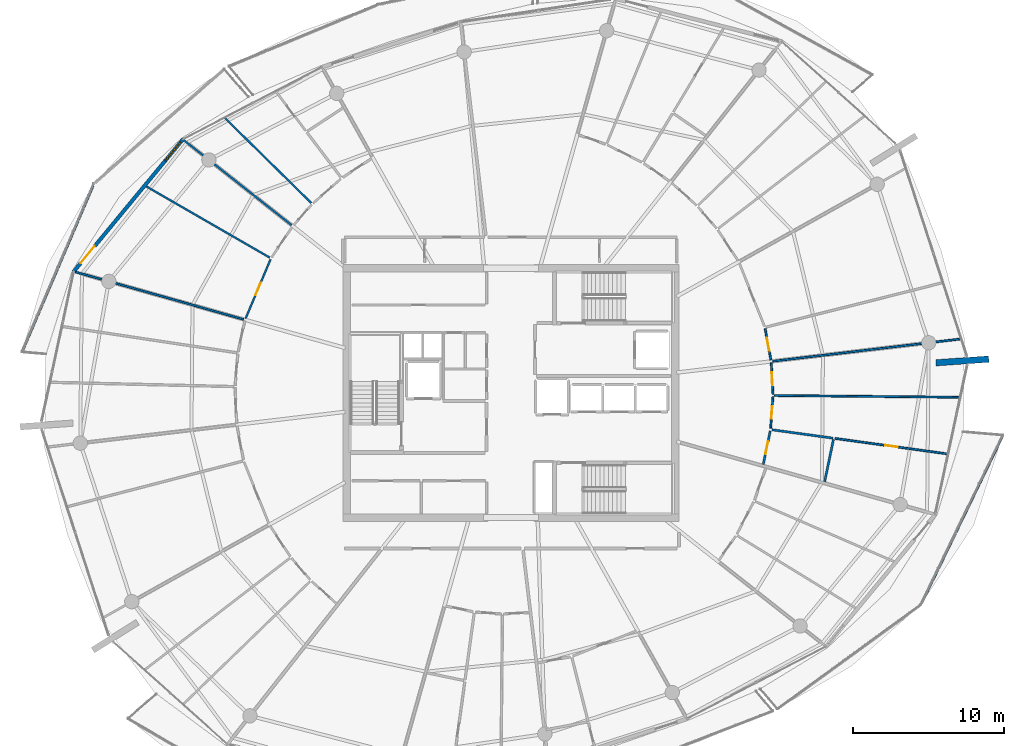
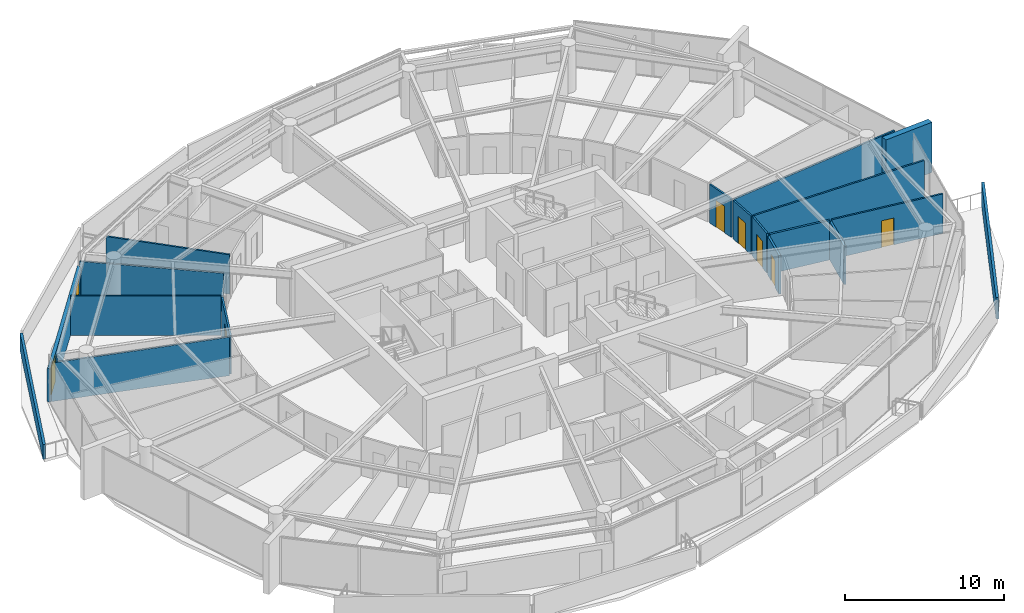
# One storey, part 21 of 31: 18 walls, 7 doors, 1 window, 8 openings.
"""IFC4 building model written with IfcOpenShell, lengths in metres."""

from ifc_helpers import new_model, si_unit, direction, frame, frame_2d, origin, place, context, subcontext, project, spatial, polyline, rectangle, outline, extrude, material, layer, layer_set, type_object, element, fill, save


model = new_model("IFC4")

# Units and contexts
model_context = context("Model", 3, precision=1e-05, world=origin(), true_north=direction((0.0, 1.0)))
body_context = subcontext(model_context, "Body", "Model", "MODEL_VIEW")
ifc_project = project(units=[si_unit("LENGTHUNIT", "METRE"), si_unit("AREAUNIT", "SQUARE_METRE"), si_unit("VOLUMEUNIT", "CUBIC_METRE"), si_unit("PLANEANGLEUNIT", "RADIAN"), si_unit("MASSUNIT", "GRAM", prefix="KILO")], contexts=[model_context])

# Site, building, storey
site_placement = place(None, origin())
site = spatial("IfcSite", under=ifc_project, at=site_placement, CompositionType="ELEMENT")
building_placement = place(site_placement, origin())
building = spatial("IfcBuilding", under=site, at=building_placement, Name="Kazma Halo Residences", CompositionType="ELEMENT")
storey_placement = place(building_placement, frame((0.0, 0.0, 275.199951171875)))
storey = spatial("IfcBuildingStorey", under=building, at=storey_placement, Name="L69", CompositionType="ELEMENT", Elevation=275.199951171875)

# Walls
ifc_material_1 = material(Name="White Concrete C50/60 Balustrade", Category="concrete")
ifc_layer_1 = layer(ifc_material_1, 0.179931640625)
ifc_layer_set_1 = layer_set([ifc_layer_1], Name="White Concrete C50/60 Balustrade")
wall_type_1 = type_object("IfcWallType", Name="WL-BAL-WAVE-180", PredefinedType="PARAPET", material=ifc_layer_set_1)
wall_1_placement = place(storey_placement, frame((20.765380859375, 55.7421875, 0.0), z_axis=(0.0, 0.0, 1.0), x_axis=(-0.392715313702, -0.919660090677, 0.0)))
element("IfcWall", 1, at=wall_1_placement, inside=storey, type_object=wall_type_1, Name="L69 white wave balustrade wall NW.2", PredefinedType="PARAPET", context=body_context, shape_type="SweptSolid", body=[
    extrude(outline(polyline([(0.0, 0.0), (11.9951171875, 0.0), (11.995361328125, 1.1201171875), (5.997802734375, 1.18212890625), (0.0, 1.34814453125), (0.0, 0.0)])), frame((0.0, 0.08984375, 0.0), z_axis=(0.0, -1.0, 0.0), x_axis=(1.0, 0.0, 0.0)), (0.0, 0.0, 1.0), 0.179931640625),
])
wall_2_placement = place(storey_placement, frame((75.594482421875, 28.07470703125, 0.0), z_axis=(0.0, 0.0, 1.0), x_axis=(0.435762237374, 0.900061815921, 0.0)))
element("IfcWall", 2, at=wall_2_placement, inside=storey, type_object=wall_type_1, Name="L69 white wave balustrade wall SE.2", PredefinedType="PARAPET", context=body_context, shape_type="SweptSolid", body=[
    extrude(outline(polyline([(0.0, 0.0), (12.362060546875, 0.0), (12.3623046875, 1.860107421875), (6.18115234375, 1.798095703125), (0.0, 1.632080078125), (0.0, 0.0)])), frame((0.0, 0.08984375, 0.0), z_axis=(0.0, -1.0, 0.0), x_axis=(1.0, 0.0, 0.0)), (0.0, 0.0, 1.0), 0.179931640625),
])
ifc_material_2 = material(Name="Pale Concrete C60/75", Category="concrete")
ifc_layer_2 = layer(ifc_material_2, 0.419921875)
ifc_layer_set_2 = layer_set([ifc_layer_2], Name="Pale Concrete C60/75")
wall_type_2 = type_object("IfcWallType", Name="WL-BLADE-420", PredefinedType="SOLIDWALL", material=ifc_layer_set_2)
wall_3_placement = place(storey_placement, frame((76.5625, 43.997314453125, 0.0), z_axis=(0.0, 0.0, 1.0), x_axis=(0.997563824095, 0.069759707979, 0.0)))
element("IfcWall", 3, at=wall_3_placement, inside=storey, type_object=wall_type_2, Name="L69 pale concrete structural blade fin wall BW-04", PredefinedType="SOLIDWALL", context=body_context, shape_type="SweptSolid", body=[
    extrude(rectangle(XDim=3.499755859375, YDim=0.419921875, at=frame_2d((1.75, 0.0))), origin(), (0.0, 0.0, 1.0), 3.85009765625),
])

# Wall, openings, door, window
ifc_material_3 = material(Name="Insulated Pale-Metal Composite Wall")
ifc_layer_3 = layer(ifc_material_3, 0.239990234375)
ifc_layer_set_3 = layer_set([ifc_layer_3], Name="Insulated Pale-Metal Composite Wall")
wall_type_3 = type_object("IfcWallType", Name="WL-EXT-HOST-240", PredefinedType="SOLIDWALL", material=ifc_layer_set_3)
wall_4_placement = place(storey_placement, frame((26.7421875, 58.822021484375, 0.0), z_axis=(0.0, 0.0, 1.0), x_axis=(-0.636680093065, -0.771128043255, 0.0)))
wall_4 = element("IfcWall", 4, at=wall_4_placement, inside=storey, type_object=wall_type_3, Name="L69 exterior terrace-access wall B06", PredefinedType="SOLIDWALL", context=body_context, shape_type="SweptSolid", body=[
    extrude(rectangle(XDim=11.438232421875, YDim=0.239990234375, at=frame_2d((5.71923828125, 0.0))), origin(), (0.0, 0.0, 1.0), 2.5400390625),
])
opening_1_placement = place(wall_4_placement, frame((9.21826171875, 0.0, 0.0)))
opening_1 = element("IfcOpeningElement", 5, at=opening_1_placement, cuts=wall_4, Name="Opening DTR-1600", PredefinedType="OPENING", context=body_context, shape_type="SweptSolid", body=[
    extrude(rectangle(XDim=1.449951171875, YDim=2.14990234375, at=frame_2d((0.72509765625, 1.074951171875))), frame((0.0, 0.1298828125, 0.0), z_axis=(0.0, -1.0, 0.0), x_axis=(1.0, 0.0, 0.0)), (0.0, 0.0, 1.0), 0.260009765625),
])
opening_2_placement = place(wall_4_placement, frame((0.280029296875, 0.0, 0.64990234375)))
opening_2 = element("IfcOpeningElement", 6, at=opening_2_placement, cuts=wall_4, Name="Opening W-1800", PredefinedType="OPENING", context=body_context, shape_type="SweptSolid", body=[
    extrude(rectangle(XDim=1.60009765625, YDim=1.5, at=frame_2d((0.800048828125, 0.75))), frame((0.0, 0.1298828125, 0.0), z_axis=(0.0, -1.0, 0.0), x_axis=(1.0, 0.0, 0.0)), (0.0, 0.0, 1.0), 0.260009765625),
])
ifc_material_4 = material(Name="Aluminium AW-6063 T6 Double-Glazed Terrace Door", Category="aluminium")
door_type_1 = type_object("IfcDoorType", Name="DR-EXT-TERR-1600", OperationType="NOTDEFINED", PredefinedType="DOOR", material=ifc_material_4)
door_1_placement = place(opening_1_placement, origin())
door_1 = element("IfcDoor", 7, at=door_1_placement, inside=storey, type_object=door_type_1, Name="L69 B06 balcony terrace door", OperationType="DOUBLE_DOOR_SLIDING", OverallHeight=2.14990234375, OverallWidth=1.449951171875, PredefinedType="DOOR", context=body_context, shape_type="SweptSolid", body=[
    extrude(rectangle(XDim=1.449951171875, YDim=2.14990234375, at=frame_2d((0.72509765625, 1.074951171875))), frame((0.0, 0.02490234375, 0.0), z_axis=(0.0, -1.0, 0.0), x_axis=(1.0, 0.0, 0.0)), (0.0, 0.0, 1.0), 0.050048828125),
])
fill(opening_1, door_1)
ifc_material_5 = material(Name="Clear Triple-Silver Low-E Glass in Aluminium AW-6063 T6 Frame", Category="aluminium")
window_type = type_object("IfcWindowType", Name="WIN-RES-1800", PartitioningType="DOUBLE_PANEL_VERTICAL", PredefinedType="WINDOW", material=ifc_material_5)
window_placement = place(opening_2_placement, origin())
window = element("IfcWindow", 8, at=window_placement, inside=storey, type_object=window_type, Name="L69 B06 apartment window", OverallHeight=1.5, OverallWidth=1.60009765625, PartitioningType="SINGLE_PANEL", PredefinedType="WINDOW", context=body_context, shape_type="SweptSolid", body=[
    extrude(rectangle(XDim=1.60009765625, YDim=1.5, at=frame_2d((0.800048828125, 0.75))), frame((0.0, 0.030029296875, 0.0), z_axis=(0.0, -1.0, 0.0), x_axis=(1.0, 0.0, 0.0)), (0.0, 0.0, 1.0), 0.06005859375),
])
fill(opening_2, window)

# Walls
ifc_material_6 = material(Name="Gypsum Plasterboard Partition")
ifc_layer_4 = layer(ifc_material_6, 0.125)
ifc_layer_set_4 = layer_set([ifc_layer_4], Name="Gypsum Plasterboard Partition")
wall_type_4 = type_object("IfcWallType", Name="WL-PART-125", PredefinedType="PARTITIONING", material=ifc_layer_set_4)
wall_5_placement = place(storey_placement, frame((35.214111328125, 54.572998046875, 0.0), z_axis=(0.0, 0.0, 1.0), x_axis=(-0.712998082221, 0.701165982311, 0.0)))
element("IfcWall", 9, at=wall_5_placement, inside=storey, type_object=wall_type_4, Name="L69 Apartment 1 suite divider 4", PredefinedType="PARTITIONING", context=body_context, shape_type="SweptSolid", body=[
    extrude(rectangle(XDim=8.026611328125, YDim=0.125, at=frame_2d((4.01318359375, 0.0))), origin(), (0.0, 0.0, 1.0), 3.030029296875),
])
wall_6_placement = place(storey_placement, frame((33.909912109375, 53.10791015625, 0.0), z_axis=(0.0, 0.0, 1.0), x_axis=(-0.785332331122, 0.619074413697, 0.0)))
element("IfcWall", 10, at=wall_6_placement, inside=storey, type_object=wall_type_4, Name="L69 Apartment 1 radial partition 5", PredefinedType="PARTITIONING", context=body_context, shape_type="SweptSolid", body=[
    extrude(rectangle(XDim=9.142578125, YDim=0.125, at=frame_2d((4.5712890625, 0.0))), origin(), (0.0, 0.0, 1.0), 2.95703125),
])
wall_7_placement = place(storey_placement, frame((32.4658203125, 50.9580078125, 0.0), z_axis=(0.0, 0.0, 1.0), x_axis=(-0.86629721787, 0.499528908383, 0.0)))
element("IfcWall", 11, at=wall_7_placement, inside=storey, type_object=wall_type_4, Name="L69 Apartment 1 mid-bay wall 5", PredefinedType="PARTITIONING", context=body_context, shape_type="SweptSolid", body=[
    extrude(rectangle(XDim=9.42822265625, YDim=0.125, at=frame_2d((4.714111328125, 0.0))), origin(), (0.0, 0.0, 1.0), 3.030029296875),
])

# Wall, opening, door
wall_8_placement = place(storey_placement, frame((32.5126953125, 50.839111328125, 0.0), z_axis=(0.0, 0.0, 1.0), x_axis=(-0.388494891754, -0.921450877194, 0.0)))
wall_8 = element("IfcWall", 12, at=wall_8_placement, inside=storey, type_object=wall_type_4, Name="L69 Apartment 1 Secondary Formal Dining Room hall wall", PredefinedType="PARTITIONING", context=body_context, shape_type="SweptSolid", body=[
    extrude(rectangle(XDim=4.23681640625, YDim=0.125, at=frame_2d((2.118408203125, 0.0))), origin(), (0.0, 0.0, 1.0), 2.95703125),
])
opening_3_placement = place(wall_8_placement, frame((1.66845703125, 0.0, 0.0)))
opening_3 = element("IfcOpeningElement", 13, at=opening_3_placement, cuts=wall_8, Name="Opening DI-950", PredefinedType="OPENING", context=body_context, shape_type="SweptSolid", body=[
    extrude(rectangle(XDim=0.89990234375, YDim=2.080078125, at=frame_2d((0.449951171875, 1.0400390625))), frame((0.0, 0.072509765625, 0.0), z_axis=(0.0, -1.0, 0.0), x_axis=(1.0, 0.0, 0.0)), (0.0, 0.0, 1.0), 0.14501953125),
])
ifc_material_7 = material(Name="Timber Veneer Flush Leaf", Category="wood")
door_type_2 = type_object("IfcDoorType", Name="DR-INT-950", OperationType="NOTDEFINED", PredefinedType="DOOR", material=ifc_material_7)
door_2_placement = place(opening_3_placement, origin())
door_2 = element("IfcDoor", 14, at=door_2_placement, inside=storey, type_object=door_type_2, Name="L69 Apartment 1 Secondary Formal Dining Room door", OperationType="SINGLE_SWING_RIGHT", OverallHeight=2.080078125, OverallWidth=0.89990234375, PredefinedType="DOOR", context=body_context, shape_type="SweptSolid", body=[
    extrude(rectangle(XDim=0.89990234375, YDim=2.080078125, at=frame_2d((0.449951171875, 1.0400390625))), frame((0.0, 0.02490234375, 0.0), z_axis=(0.0, -1.0, 0.0), x_axis=(1.0, 0.0, 0.0)), (0.0, 0.0, 1.0), 0.050048828125),
])
fill(opening_3, door_2)

# Wall
wall_9_placement = place(storey_placement, frame((30.731689453125, 46.8701171875, 0.0), z_axis=(0.0, 0.0, 1.0), x_axis=(-0.962452931787, 0.271448621462, 0.0)))
element("IfcWall", 15, at=wall_9_placement, inside=storey, type_object=wall_type_4, Name="L69 Apartment 1 radial partition 6", PredefinedType="PARTITIONING", context=body_context, shape_type="SweptSolid", body=[
    extrude(rectangle(XDim=11.5537109375, YDim=0.125, at=frame_2d((5.77685546875, 0.0))), origin(), (0.0, 0.0, 1.0), 2.95703125),
])

# Wall, opening, door
wall_10_placement = place(storey_placement, frame((69.880126953125, 38.9912109375, 0.0), z_axis=(0.0, 0.0, 1.0), x_axis=(0.990676269793, -0.13623703046, 0.0)))
wall_10 = element("IfcWall", 16, at=wall_10_placement, inside=storey, type_object=wall_type_4, Name="L69 Apartment 4 Household Store Room partition wall", PredefinedType="PARTITIONING", context=body_context, shape_type="SweptSolid", body=[
    extrude(rectangle(XDim=7.531982421875, YDim=0.125, at=frame_2d((3.76611328125, 0.0))), origin(), (0.0, 0.0, 1.0), 3.030029296875),
])
opening_4_placement = place(wall_10_placement, frame((3.341064453125, 0.0, 0.0)))
opening_4 = element("IfcOpeningElement", 17, at=opening_4_placement, cuts=wall_10, Name="Opening DB-900", PredefinedType="OPENING", context=body_context, shape_type="SweptSolid", body=[
    extrude(rectangle(XDim=0.85009765625, YDim=2.06005859375, at=frame_2d((0.425048828125, 1.030029296875))), frame((0.0, 0.072509765625, 0.0), z_axis=(0.0, -1.0, 0.0), x_axis=(1.0, 0.0, 0.0)), (0.0, 0.0, 1.0), 0.14501953125),
])
ifc_material_8 = material(Name="Moisture-Sealed Timber Leaf", Category="wood")
door_type_3 = type_object("IfcDoorType", Name="DR-BTH-900", OperationType="NOTDEFINED", PredefinedType="DOOR", material=ifc_material_8)
door_3_placement = place(opening_4_placement, origin())
door_3 = element("IfcDoor", 18, at=door_3_placement, inside=storey, type_object=door_type_3, Name="L69 Apartment 4 Household Store Room door", OperationType="SINGLE_SWING_LEFT", OverallHeight=2.06005859375, OverallWidth=0.85009765625, PredefinedType="DOOR", context=body_context, shape_type="SweptSolid", body=[
    extrude(rectangle(XDim=0.85009765625, YDim=2.06005859375, at=frame_2d((0.425048828125, 1.030029296875))), frame((0.0, 0.02490234375, 0.0), z_axis=(0.0, -1.0, 0.0), x_axis=(1.0, 0.0, 0.0)), (0.0, 0.0, 1.0), 0.050048828125),
])
fill(opening_4, door_3)

# Wall
wall_11_placement = place(storey_placement, frame((65.865234375, 41.831787109375, 0.0), z_axis=(0.0, 0.0, 1.0), x_axis=(0.999955421737, -0.009442168124, 0.0)))
element("IfcWall", 19, at=wall_11_placement, inside=storey, type_object=wall_type_4, Name="L69 Apartment 4 suite divider 14", PredefinedType="PARTITIONING", context=body_context, shape_type="SweptSolid", body=[
    extrude(rectangle(XDim=12.28173828125, YDim=0.125, at=frame_2d((6.140869140625, 0.0))), origin(), (0.0, 0.0, 1.0), 3.030029296875),
])

# Wall, opening, door
wall_12_placement = place(storey_placement, frame((65.616943359375, 39.668212890625, 0.0), z_axis=(0.0, 0.0, 1.0), x_axis=(0.072890621107, 0.99733994072, 0.0)))
wall_12 = element("IfcWall", 20, at=wall_12_placement, inside=storey, type_object=wall_type_4, Name="L69 Apartment 4 Gourmet Kitchen hall wall", PredefinedType="PARTITIONING", context=body_context, shape_type="SweptSolid", body=[
    extrude(rectangle(XDim=2.090087890625, YDim=0.125, at=frame_2d((1.044921875, 0.0))), origin(), (0.0, 0.0, 1.0), 3.030029296875),
])
opening_5_placement = place(wall_12_placement, frame((0.6201171875, 0.0, 0.0)))
opening_5 = element("IfcOpeningElement", 21, at=opening_5_placement, cuts=wall_12, Name="Opening DB-900", PredefinedType="OPENING", context=body_context, shape_type="SweptSolid", body=[
    extrude(rectangle(XDim=0.85009765625, YDim=2.06005859375, at=frame_2d((0.425048828125, 1.030029296875))), frame((0.0, 0.072509765625, 0.0), z_axis=(0.0, -1.0, 0.0), x_axis=(1.0, 0.0, 0.0)), (0.0, 0.0, 1.0), 0.14501953125),
])
door_4_placement = place(opening_5_placement, origin())
door_4 = element("IfcDoor", 22, at=door_4_placement, inside=storey, type_object=door_type_3, Name="L69 Apartment 4 Gourmet Kitchen door", OperationType="SINGLE_SWING_RIGHT", OverallHeight=2.06005859375, OverallWidth=0.85009765625, PredefinedType="DOOR", context=body_context, shape_type="SweptSolid", body=[
    extrude(rectangle(XDim=0.85009765625, YDim=2.06005859375, at=frame_2d((0.425048828125, 1.030029296875))), frame((0.0, 0.02490234375, 0.0), z_axis=(0.0, -1.0, 0.0), x_axis=(1.0, 0.0, 0.0)), (0.0, 0.0, 1.0), 0.050048828125),
])
fill(opening_5, door_4)

wall_13_placement = place(storey_placement, frame((65.77099609375, 41.912353515625, 0.0), z_axis=(0.0, 0.0, 1.0), x_axis=(-0.054221950574, 0.998528907982, 0.0)))
wall_13 = element("IfcWall", 23, at=wall_13_placement, inside=storey, type_object=wall_type_4, Name="L69 Apartment 4 Master Bedroom hall wall", PredefinedType="PARTITIONING", context=body_context, shape_type="SweptSolid", body=[
    extrude(rectangle(XDim=2.080322265625, YDim=0.125, at=frame_2d((1.0400390625, 0.0))), origin(), (0.0, 0.0, 1.0), 2.95703125),
])
opening_6_placement = place(wall_13_placement, frame((0.614990234375, 0.0, 0.0)))
opening_6 = element("IfcOpeningElement", 24, at=opening_6_placement, cuts=wall_13, Name="Opening DB-900", PredefinedType="OPENING", context=body_context, shape_type="SweptSolid", body=[
    extrude(rectangle(XDim=0.85009765625, YDim=2.06005859375, at=frame_2d((0.425048828125, 1.030029296875))), frame((0.0, 0.072509765625, 0.0), z_axis=(0.0, -1.0, 0.0), x_axis=(1.0, 0.0, 0.0)), (0.0, 0.0, 1.0), 0.14501953125),
])
door_5_placement = place(opening_6_placement, origin())
door_5 = element("IfcDoor", 25, at=door_5_placement, inside=storey, type_object=door_type_3, Name="L69 Apartment 4 Master Bedroom door", OperationType="SINGLE_SWING_LEFT", OverallHeight=2.06005859375, OverallWidth=0.85009765625, PredefinedType="DOOR", context=body_context, shape_type="SweptSolid", body=[
    extrude(rectangle(XDim=0.85009765625, YDim=2.06005859375, at=frame_2d((0.425048828125, 1.030029296875))), frame((0.0, 0.02490234375, 0.0), z_axis=(0.0, -1.0, 0.0), x_axis=(1.0, 0.0, 0.0)), (0.0, 0.0, 1.0), 0.050048828125),
])
fill(opening_6, door_5)

# Wall
wall_14_placement = place(storey_placement, frame((65.752197265625, 44.10107421875, 0.0), z_axis=(0.0, 0.0, 1.0), x_axis=(0.993067785749, 0.117543068309, 0.0)))
element("IfcWall", 26, at=wall_14_placement, inside=storey, type_object=wall_type_4, Name="L69 Apartment 4 radial partition 15", PredefinedType="PARTITIONING", context=body_context, shape_type="SweptSolid", body=[
    extrude(rectangle(XDim=12.553466796875, YDim=0.125, at=frame_2d((6.27685546875, 0.0))), origin(), (0.0, 0.0, 1.0), 2.95703125),
])

# Wall, opening, door
wall_15_placement = place(storey_placement, frame((65.634765625, 44.1875, 0.0), z_axis=(0.0, 0.0, 1.0), x_axis=(-0.181239065241, 0.983439068387, 0.0)))
wall_15 = element("IfcWall", 27, at=wall_15_placement, inside=storey, type_object=wall_type_4, Name="L69 Apartment 4 Primary Wine Pantry Store hall wall", PredefinedType="PARTITIONING", context=body_context, shape_type="SweptSolid", body=[
    extrude(rectangle(XDim=2.108154296875, YDim=0.125, at=frame_2d((1.05419921875, 0.0))), origin(), (0.0, 0.0, 1.0), 2.95703125),
])
opening_7_placement = place(wall_15_placement, frame((0.62890625, 0.0, 0.0)))
opening_7 = element("IfcOpeningElement", 28, at=opening_7_placement, cuts=wall_15, Name="Opening DB-900", PredefinedType="OPENING", context=body_context, shape_type="SweptSolid", body=[
    extrude(rectangle(XDim=0.85009765625, YDim=2.06005859375, at=frame_2d((0.425048828125, 1.030029296875))), frame((0.0, 0.072509765625, 0.0), z_axis=(0.0, -1.0, 0.0), x_axis=(1.0, 0.0, 0.0)), (0.0, 0.0, 1.0), 0.14501953125),
])
door_6_placement = place(opening_7_placement, origin())
door_6 = element("IfcDoor", 29, at=door_6_placement, inside=storey, type_object=door_type_3, Name="L69 Apartment 4 Primary Wine Pantry Store door", OperationType="SINGLE_SWING_LEFT", OverallHeight=2.06005859375, OverallWidth=0.85009765625, PredefinedType="DOOR", context=body_context, shape_type="SweptSolid", body=[
    extrude(rectangle(XDim=0.85009765625, YDim=2.06005859375, at=frame_2d((0.425048828125, 1.030029296875))), frame((0.0, 0.02490234375, 0.0), z_axis=(0.0, -1.0, 0.0), x_axis=(1.0, 0.0, 0.0)), (0.0, 0.0, 1.0), 0.050048828125),
])
fill(opening_7, door_6)

ifc_material_9 = material(Name="Moisture-Resistant Gypsum")
ifc_layer_5 = layer(ifc_material_9, 0.14990234375)
ifc_layer_set_5 = layer_set([ifc_layer_5], Name="Moisture-Resistant Gypsum")
wall_type_5 = type_object("IfcWallType", Name="WL-WET-150", PredefinedType="PARTITIONING", material=ifc_layer_set_5)
wall_16_placement = place(storey_placement, frame((65.12890625, 37.272705078125, 0.0), z_axis=(0.0, 0.0, 1.0), x_axis=(0.204337271361, 0.978900546293, 0.0)))
wall_16 = element("IfcWall", 30, at=wall_16_placement, inside=storey, type_object=wall_type_5, Name="L69 Apartment 4 Guest Bathroom hall wall", PredefinedType="PARTITIONING", context=body_context, shape_type="SweptSolid", body=[
    extrude(rectangle(XDim=2.265380859375, YDim=0.14990234375, at=frame_2d((1.1328125, 0.0))), origin(), (0.0, 0.0, 1.0), 2.95703125),
])
opening_8_placement = place(wall_16_placement, frame((0.70751953125, 0.0, 0.0)))
opening_8 = element("IfcOpeningElement", 31, at=opening_8_placement, cuts=wall_16, Name="Opening DB-900", PredefinedType="OPENING", context=body_context, shape_type="SweptSolid", body=[
    extrude(rectangle(XDim=0.85009765625, YDim=2.06005859375, at=frame_2d((0.425048828125, 1.030029296875))), frame((0.0, 0.0849609375, 0.0), z_axis=(0.0, -1.0, 0.0), x_axis=(1.0, 0.0, 0.0)), (0.0, 0.0, 1.0), 0.169921875),
])
door_7_placement = place(opening_8_placement, origin())
door_7 = element("IfcDoor", 32, at=door_7_placement, inside=storey, type_object=door_type_3, Name="L69 Apartment 4 Guest Bathroom door", OperationType="SINGLE_SWING_RIGHT", OverallHeight=2.06005859375, OverallWidth=0.85009765625, PredefinedType="DOOR", context=body_context, shape_type="SweptSolid", body=[
    extrude(rectangle(XDim=0.85009765625, YDim=2.06005859375, at=frame_2d((0.425048828125, 1.030029296875))), frame((0.0, 0.02490234375, 0.0), z_axis=(0.0, -1.0, 0.0), x_axis=(1.0, 0.0, 0.0)), (0.0, 0.0, 1.0), 0.050048828125),
])
fill(opening_8, door_7)

# Walls
wall_17_placement = place(storey_placement, frame((69.190673828125, 36.127197265625, 0.0), z_axis=(0.0, 0.0, 1.0), x_axis=(0.204269165827, 0.978914760279, 0.0)))
element("IfcWall", 33, at=wall_17_placement, inside=storey, type_object=wall_type_5, Name="L69 Apartment 4 Guest Bathroom back wall", PredefinedType="PARTITIONING", context=body_context, shape_type="SweptSolid", body=[
    extrude(rectangle(XDim=2.84814453125, YDim=0.14990234375, at=frame_2d((1.424072265625, 0.0))), origin(), (0.0, 0.0, 1.0), 2.95703125),
])
wall_18_placement = place(storey_placement, frame((65.699462890625, 39.56591796875, 0.0), z_axis=(0.0, 0.0, 1.0), x_axis=(0.990678437061, -0.136221269786, 0.0)))
element("IfcWall", 34, at=wall_18_placement, inside=storey, type_object=wall_type_5, Name="L69 Apartment 4 Guest Bathroom side wall", PredefinedType="PARTITIONING", context=body_context, shape_type="SweptSolid", body=[
    extrude(rectangle(XDim=4.08984375, YDim=0.14990234375, at=frame_2d((2.044921875, 0.0))), origin(), (0.0, 0.0, 1.0), 3.030029296875),
])

save(model, "model.ifc")
